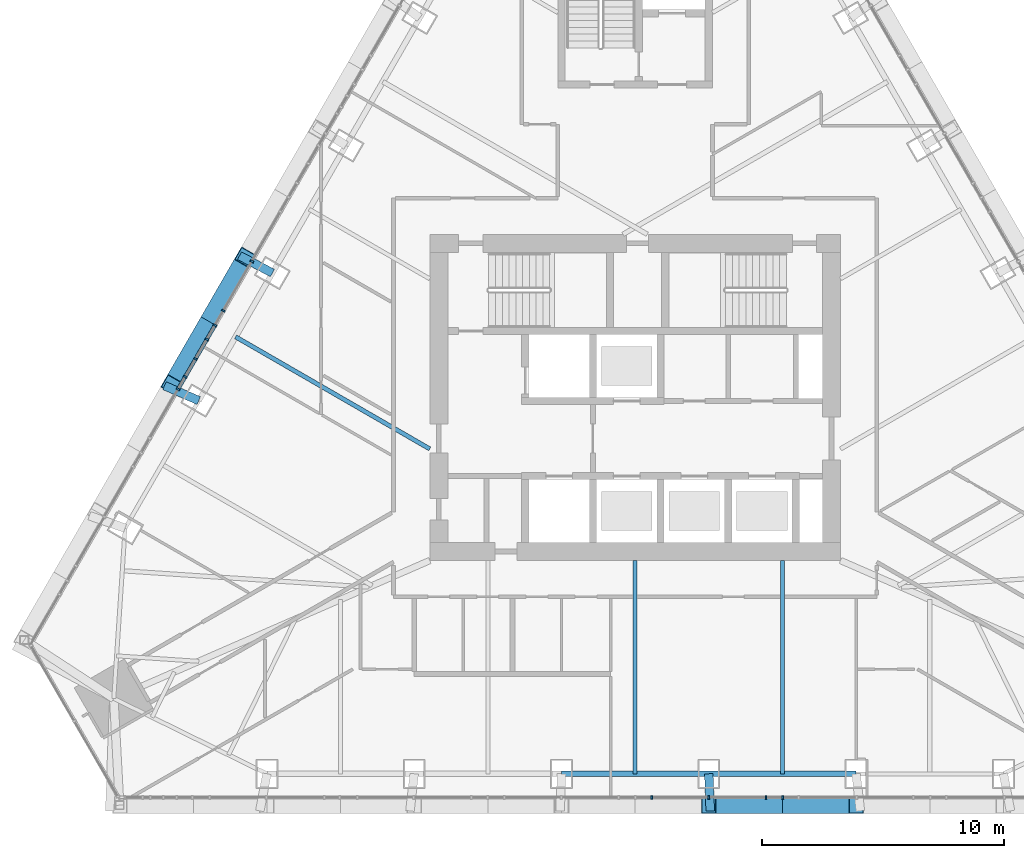
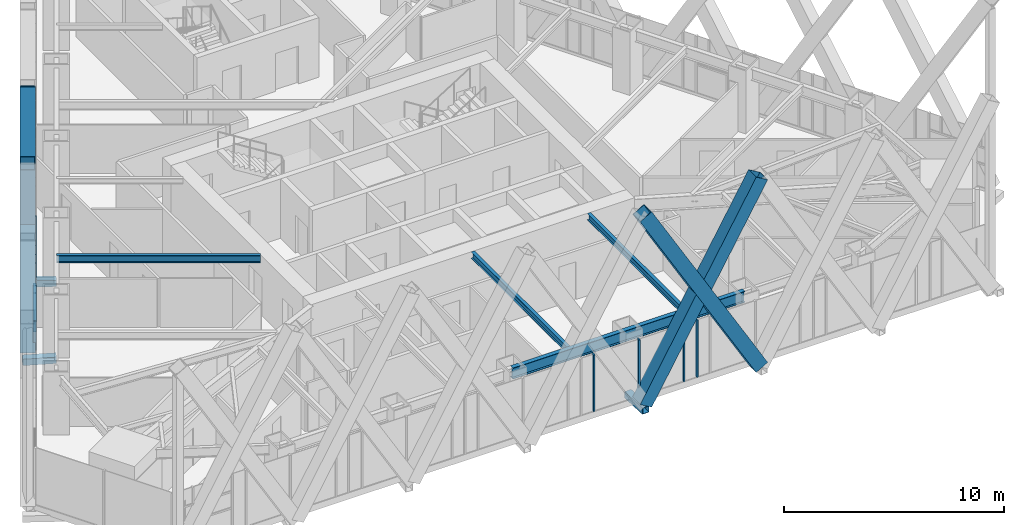
# One storey, part 4 of 23: 19 members, 4 beams, 2 elements without a shape of their own.
"""IFC4 building model written with IfcOpenShell, lengths in metres."""

from ifc_helpers import new_model, si_unit, direction, frame, origin, origin_2d, place, context, subcontext, project, spatial, rectangle, hollow_rectangle, i_section, extrude, material, layer, layer_set, material_profile, profile_set, type_object, element, aggregate, save


model = new_model("IFC4")

# Units and contexts
model_context = context("Model", 3, precision=1e-05, world=origin(), true_north=direction((0.0, 1.0)))
body_context = subcontext(model_context, "Body", "Model", "MODEL_VIEW")
ifc_project = project(units=[si_unit("LENGTHUNIT", "METRE"), si_unit("AREAUNIT", "SQUARE_METRE"), si_unit("VOLUMEUNIT", "CUBIC_METRE"), si_unit("PLANEANGLEUNIT", "RADIAN"), si_unit("MASSUNIT", "GRAM", prefix="KILO")], contexts=[model_context])

# Site, building, storey
site_placement = place(None, origin())
site = spatial("IfcSite", under=ifc_project, at=site_placement, CompositionType="ELEMENT")
building_placement = place(site_placement, origin())
building = spatial("IfcBuilding", under=site, at=building_placement, Name="Firuza Gate Tower and Library", CompositionType="ELEMENT")
storey_placement = place(building_placement, frame((0.0, 0.0, 302.10009765625)))
storey = spatial("IfcBuildingStorey", under=building, at=storey_placement, Name="L73", CompositionType="ELEMENT", Elevation=302.10009765625)

# Members
ifc_material_1 = material(Name="Steel S355", Category="steel")
ifc_material_profile_1 = material_profile(ifc_material_1, hollow_rectangle(XDim=0.699951171875, YDim=0.699951171875, WallThickness=0.030029296875, at=origin_2d()))
ifc_profile_set_1 = profile_set([ifc_material_profile_1], Name="Steel S355")
member_type_1 = type_object("IfcMemberType", Name="BU700x700x30 Lattice brace", PredefinedType="BRACE", material=ifc_profile_set_1)
for number, where, z_axis, x_axis, name in (
    (1, (78.048095703125, 58.124755859375, 0.0), (0.502084580661, 0.0, 0.864818520768), (0.0, 1.0, 0.0), "Lattice brace S 19.5R"),
    (2, (84.14404296875, 58.124755859375, 0.0), (-0.502084580661, 0.0, 0.864818520768), (0.0, -1.0, 0.0), "Lattice brace S 19.5L"),
    (3, (58.861572265625, 80.798095703125, 0.0), (-0.251051246141, -0.434820356151, 0.864814737206), (0.866018852375, -0.500011347202, 0.0), "Lattice brace W 19.5R"),
    (4, (55.8134765625, 75.518798828125, 0.0), (0.251051246141, 0.434820356151, 0.864814737206), (-0.866018852375, 0.500011347202, 0.0), "Lattice brace W 19.5L"),
):
    element("IfcMember", number, at=place(storey_placement, frame(where, z_axis=z_axis, x_axis=x_axis)), inside=storey, type_object=member_type_1, Name=name, PredefinedType="BRACE", context=body_context, shape_type="SweptSolid", body=[
        extrude(hollow_rectangle(XDim=0.699951171875, YDim=0.699951171875, WallThickness=0.030029296875, at=origin_2d()), origin(), (0.0, 0.0, 1.0), 12.141357421875),
    ])

# Curtain wall, members
ifc_material_2 = material(Name="Aluminium 6063-T6", Category="aluminium")
ifc_layer = layer(ifc_material_2, 0.14990234375)
ifc_layer_set = layer_set([ifc_layer], Name="Unitised curtain wall, residences")
curtain_wall_type = type_object("IfcCurtainWallType", Name="Unitised curtain wall, residences", PredefinedType="NOTDEFINED", material=ifc_layer_set)
placement = place(storey_placement, origin())
curtain_wall_1 = element("IfcCurtainWall", 5, at=placement, inside=storey, type_object=curtain_wall_type, Name="CW3 L73 S face", PredefinedType="NOTDEFINED")
ifc_material_3 = material(Name="Aluminium 6063-T6", Category="aluminium")
ifc_material_profile_2 = material_profile(ifc_material_3, rectangle(XDim=0.14990234375, YDim=0.080078125, at=origin_2d()))
ifc_profile_set_2 = profile_set([ifc_material_profile_2], Name="Aluminium 6063-T6")
member_type_2 = type_object("IfcMemberType", Name="Curtain wall mullion 80x150", PredefinedType="MULLION", material=ifc_profile_set_2)
member_1_placement = place(storey_placement, frame((78.05419921875, 58.44970703125, 0.14990234375), z_axis=(0.0, 0.0, 1.0), x_axis=(0.0, 1.0, 0.0)))
member_1 = element("IfcMember", 6, at=member_1_placement, type_object=member_type_2, Name="Mullion", PredefinedType="MULLION", context=body_context, shape_type="SweptSolid", body=[
    extrude(rectangle(XDim=0.14990234375, YDim=0.080078125, at=origin_2d()), origin(), (0.0, 0.0, 1.0), 3.14990234375),
])
member_2_placement = place(storey_placement, frame((81.1083984375, 58.44970703125, 0.14990234375), z_axis=(0.0, 0.0, 1.0), x_axis=(0.0, 1.0, 0.0)))
member_2 = element("IfcMember", 7, at=member_2_placement, type_object=member_type_2, Name="Mullion", PredefinedType="MULLION", context=body_context, shape_type="SweptSolid", body=[
    extrude(rectangle(XDim=0.14990234375, YDim=0.080078125, at=origin_2d()), origin(), (0.0, 0.0, 1.0), 3.14990234375),
])
member_3_placement = place(storey_placement, frame((75.682373046875, 58.44970703125, 0.14990234375), z_axis=(0.0, 0.0, 1.0), x_axis=(0.0, 1.0, 0.0)))
member_3 = element("IfcMember", 8, at=member_3_placement, type_object=member_type_2, Name="Mullion", PredefinedType="MULLION", context=body_context, shape_type="SweptSolid", body=[
    extrude(rectangle(XDim=0.14990234375, YDim=0.080078125, at=origin_2d()), origin(), (0.0, 0.0, 1.0), 3.14990234375),
])
member_4_placement = place(storey_placement, frame((80.41357421875, 58.44970703125, 0.14990234375), z_axis=(0.0, 0.0, 1.0), x_axis=(0.0, 1.0, 0.0)))
member_4 = element("IfcMember", 9, at=member_4_placement, type_object=member_type_2, Name="Mullion", PredefinedType="MULLION", context=body_context, shape_type="SweptSolid", body=[
    extrude(rectangle(XDim=0.14990234375, YDim=0.080078125, at=origin_2d()), origin(), (0.0, 0.0, 1.0), 3.14990234375),
])
aggregate(curtain_wall_1, [member_1, member_2, member_3, member_4])

curtain_wall_2 = element("IfcCurtainWall", 10, at=placement, inside=storey, type_object=curtain_wall_type, Name="CW3 L73 W face", PredefinedType="NOTDEFINED")
member_5_placement = place(storey_placement, frame((59.139892578125, 80.630126953125, 0.14990234375), z_axis=(0.0, 0.0, 1.0), x_axis=(0.866025403784, -0.5, 0.0)))
member_5 = element("IfcMember", 11, at=member_5_placement, type_object=member_type_2, Name="Mullion", PredefinedType="MULLION", context=body_context, shape_type="SweptSolid", body=[
    extrude(rectangle(XDim=0.14990234375, YDim=0.080078125, at=origin_2d()), origin(), (0.0, 0.0, 1.0), 3.14990234375),
])
member_6_placement = place(storey_placement, frame((57.61279296875, 77.985107421875, 0.14990234375), z_axis=(0.0, 0.0, 1.0), x_axis=(0.866025403784, -0.5, 0.0)))
member_6 = element("IfcMember", 12, at=member_6_placement, type_object=member_type_2, Name="Mullion", PredefinedType="MULLION", context=body_context, shape_type="SweptSolid", body=[
    extrude(rectangle(XDim=0.14990234375, YDim=0.080078125, at=origin_2d()), origin(), (0.0, 0.0, 1.0), 3.14990234375),
])
member_7_placement = place(storey_placement, frame((56.085693359375, 75.340087890625, 0.14990234375), z_axis=(0.0, 0.0, 1.0), x_axis=(0.866025403784, -0.5, 0.0)))
member_7 = element("IfcMember", 13, at=member_7_placement, type_object=member_type_2, Name="Mullion", PredefinedType="MULLION", context=body_context, shape_type="SweptSolid", body=[
    extrude(rectangle(XDim=0.14990234375, YDim=0.080078125, at=origin_2d()), origin(), (0.0, 0.0, 1.0), 3.14990234375),
])
member_8_placement = place(storey_placement, frame((57.960205078125, 78.5869140625, 0.14990234375), z_axis=(0.0, 0.0, 1.0), x_axis=(0.866025403784, -0.5, 0.0)))
member_8 = element("IfcMember", 14, at=member_8_placement, type_object=member_type_2, Name="Mullion", PredefinedType="MULLION", context=body_context, shape_type="SweptSolid", body=[
    extrude(rectangle(XDim=0.14990234375, YDim=0.080078125, at=origin_2d()), origin(), (0.0, 0.0, 1.0), 3.14990234375),
])
member_9_placement = place(storey_placement, frame((56.80908203125, 76.5927734375, 0.14990234375), z_axis=(0.0, 0.0, 1.0), x_axis=(0.866025403784, -0.5, 0.0)))
member_9 = element("IfcMember", 15, at=member_9_placement, type_object=member_type_2, Name="Mullion", PredefinedType="MULLION", context=body_context, shape_type="SweptSolid", body=[
    extrude(rectangle(XDim=0.14990234375, YDim=0.080078125, at=origin_2d()), origin(), (0.0, 0.0, 1.0), 1.534912109375),
])
member_10_placement = place(storey_placement, frame((57.27783203125, 77.40478515625, 1.764892578125), z_axis=(0.0, 0.0, 1.0), x_axis=(0.866025403784, -0.5, 0.0)))
member_10 = element("IfcMember", 16, at=member_10_placement, type_object=member_type_2, Name="Mullion", PredefinedType="MULLION", context=body_context, shape_type="SweptSolid", body=[
    extrude(rectangle(XDim=0.14990234375, YDim=0.080078125, at=origin_2d()), origin(), (0.0, 0.0, 1.0), 1.534912109375),
])
member_11_placement = place(storey_placement, frame((56.382568359375, 75.854248046875, 1.764892578125), z_axis=(0.0, 0.0, 1.0), x_axis=(0.866025403784, -0.5, 0.0)))
member_11 = element("IfcMember", 17, at=member_11_placement, type_object=member_type_2, Name="Mullion", PredefinedType="MULLION", context=body_context, shape_type="SweptSolid", body=[
    extrude(rectangle(XDim=0.14990234375, YDim=0.080078125, at=origin_2d()), origin(), (0.0, 0.0, 1.0), 1.534912109375),
])
ifc_material_4 = material(Name="Aluminium 6063-T6", Category="aluminium")
ifc_material_profile_3 = material_profile(ifc_material_4, rectangle(XDim=0.14990234375, YDim=0.080078125, at=origin_2d()))
ifc_profile_set_3 = profile_set([ifc_material_profile_3], Name="Aluminium 6063-T6")
member_type_3 = type_object("IfcMemberType", Name="Curtain wall transom 80x150", PredefinedType="USERDEFINED", material=ifc_profile_set_3)
member_12_placement = place(storey_placement, frame((57.5927734375, 77.950439453125, 1.724853515625), z_axis=(-0.499997208602, -0.866027015393, 0.0), x_axis=(0.866027015393, -0.499997208602, 0.0)))
member_12 = element("IfcMember", 18, at=member_12_placement, type_object=member_type_3, Name="Transom", ObjectType="TRANSOM", PredefinedType="USERDEFINED", context=body_context, shape_type="SweptSolid", body=[
    extrude(rectangle(XDim=0.14990234375, YDim=0.080078125, at=origin_2d()), origin(), (0.0, 0.0, 1.0), 2.97412109375),
])
aggregate(curtain_wall_2, [member_5, member_6, member_7, member_8, member_9, member_10, member_11, member_12])

# Members
ifc_material_5 = material(Name="Steel S355", Category="steel")
ifc_material_profile_4 = material_profile(ifc_material_5, hollow_rectangle(XDim=0.355712890625, YDim=0.355712890625, WallThickness=0.014892578125, at=origin_2d()))
ifc_profile_set_4 = profile_set([ifc_material_profile_4], Name="Steel S355")
member_type_4 = type_object("IfcMemberType", Name="HSS356x356x16 Lattice node tie", PredefinedType="BRACE", material=ifc_profile_set_4)
member_13_placement = place(storey_placement, frame((78.048095703125, 59.4248046875, -0.320068359375), z_axis=(0.038091775538, -0.999274244958, 0.0), x_axis=(0.999274244958, 0.038091775538, 0.0)))
element("IfcMember", 19, at=member_13_placement, inside=storey, type_object=member_type_4, Name="Lattice node tie S L73 514", PredefinedType="BRACE", context=body_context, shape_type="SweptSolid", body=[
    extrude(hollow_rectangle(XDim=0.355712890625, YDim=0.355712890625, WallThickness=0.014892578125, at=origin_2d()), origin(), (0.0, 0.0, 1.0), 1.538330078125),
])
member_14_placement = place(storey_placement, frame((56.939453125, 74.86865234375, -0.320068359375), z_axis=(-0.917265622356, 0.398276007367, 0.0), x_axis=(-0.398276007367, -0.917265622356, 0.0)))
element("IfcMember", 20, at=member_14_placement, inside=storey, type_object=member_type_4, Name="Lattice node tie W L73 522", PredefinedType="BRACE", context=body_context, shape_type="SweptSolid", body=[
    extrude(hollow_rectangle(XDim=0.355712890625, YDim=0.355712890625, WallThickness=0.014892578125, at=origin_2d()), origin(), (0.0, 0.0, 1.0), 1.547119140625),
])
member_15_placement = place(storey_placement, frame((59.9873046875, 80.14794921875, -0.320068359375), z_axis=(-0.88443570932, 0.466662057681, 0.0), x_axis=(-0.466662057681, -0.88443570932, 0.0)))
element("IfcMember", 21, at=member_15_placement, inside=storey, type_object=member_type_4, Name="Lattice node tie W L73 523", PredefinedType="BRACE", context=body_context, shape_type="SweptSolid", body=[
    extrude(hollow_rectangle(XDim=0.355712890625, YDim=0.355712890625, WallThickness=0.014892578125, at=origin_2d()), origin(), (0.0, 0.0, 1.0), 1.5380859375),
])

# Beams
ifc_material_6 = material(Name="Steel S355", Category="steel")
ifc_material_profile_5 = material_profile(ifc_material_6, i_section(OverallWidth=0.1708984375, OverallDepth=0.35498046875, WebThickness=0.007080078125, FlangeThickness=0.01171875, at=origin_2d()))
ifc_profile_set_5 = profile_set([ifc_material_profile_5], Name="Steel S355")
beam_type_1 = type_object("IfcBeamType", Name="W360x51 Floor beam", PredefinedType="JOIST", material=ifc_profile_set_5)
for number, where, z_axis, x_axis, name in (
    (22, (75.0, 59.4248046875, 3.122314453125), (0.0, 1.0, 0.0), (-1.0, 0.0, 0.0), "Floor beam L73 s22"),
    (23, (81.095947265625, 59.4248046875, 3.122314453125), (0.0, 1.0, 0.0), (-1.0, 0.0, 0.0), "Floor beam L73 s23"),
):
    element("IfcBeam", number, at=place(storey_placement, frame(where, z_axis=z_axis, x_axis=x_axis)), inside=storey, type_object=beam_type_1, Name=name, PredefinedType="JOIST", context=body_context, shape_type="SweptSolid", body=[
        extrude(i_section(OverallWidth=0.1708984375, OverallDepth=0.35498046875, WebThickness=0.007080078125, FlangeThickness=0.01171875, at=origin_2d()), origin(), (0.0, 0.0, 1.0), 8.8251953125),
    ])
ifc_material_7 = material(Name="Steel S355", Category="steel")
ifc_material_profile_6 = material_profile(ifc_material_7, i_section(OverallWidth=0.177978515625, OverallDepth=0.406982421875, WebThickness=0.0078125, FlangeThickness=0.0126953125, at=origin_2d()))
ifc_profile_set_6 = profile_set([ifc_material_profile_6], Name="Steel S355")
beam_type_2 = type_object("IfcBeamType", Name="W410x60 Floor beam", PredefinedType="JOIST", material=ifc_profile_set_6)
beam_1_placement = place(storey_placement, frame((58.46337890625, 77.50830078125, 3.096435546875), z_axis=(0.866027866277, -0.499995734814, 0.0), x_axis=(0.499995734814, 0.866027866277, 0.0)))
element("IfcBeam", 24, at=beam_1_placement, inside=storey, type_object=beam_type_2, Name="Floor beam L73 s83", PredefinedType="JOIST", context=body_context, shape_type="SweptSolid", body=[
    extrude(i_section(OverallWidth=0.177978515625, OverallDepth=0.406982421875, WebThickness=0.0078125, FlangeThickness=0.0126953125, at=origin_2d()), origin(), (0.0, 0.0, 1.0), 9.27978515625),
])
ifc_material_8 = material(Name="Steel S355", Category="steel")
ifc_material_profile_7 = material_profile(ifc_material_8, i_section(OverallWidth=0.22900390625, OverallDepth=0.612060546875, WebThickness=0.011962890625, FlangeThickness=0.01953125, at=origin_2d()))
ifc_profile_set_7 = profile_set([ifc_material_profile_7], Name="Steel S355")
beam_type_3 = type_object("IfcBeamType", Name="W610x125 Edge beam", PredefinedType="SPANDREL", material=ifc_profile_set_7)
beam_2_placement = place(storey_placement, frame((71.951904296875, 59.4248046875, 2.993896484375), z_axis=(1.0, 0.0, 0.0), x_axis=(0.0, 1.0, 0.0)))
element("IfcBeam", 25, at=beam_2_placement, inside=storey, type_object=beam_type_3, Name="Edge beam L73 e22", PredefinedType="SPANDREL", context=body_context, shape_type="SweptSolid", body=[
    extrude(i_section(OverallWidth=0.22900390625, OverallDepth=0.612060546875, WebThickness=0.011962890625, FlangeThickness=0.01953125, at=origin_2d()), origin(), (0.0, 0.0, 1.0), 12.192138671875),
])

save(model, "model.ifc")
